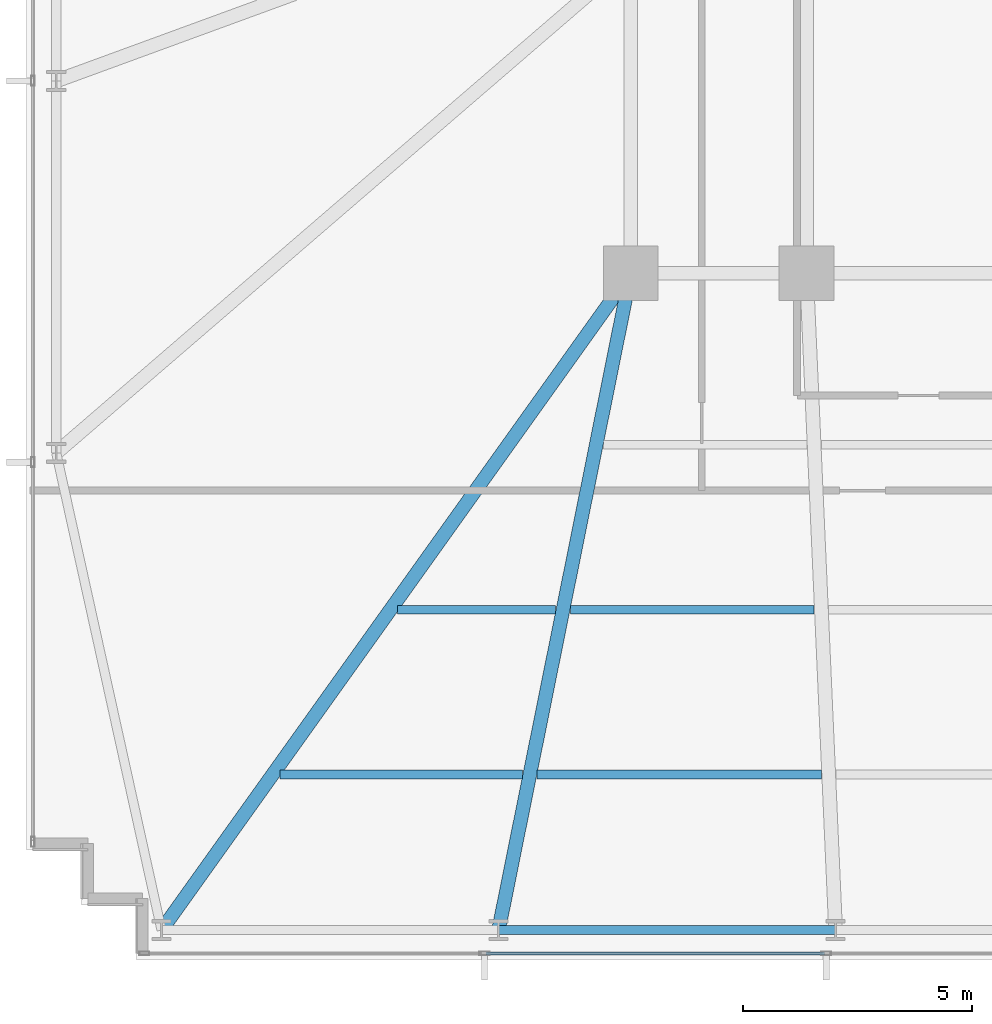
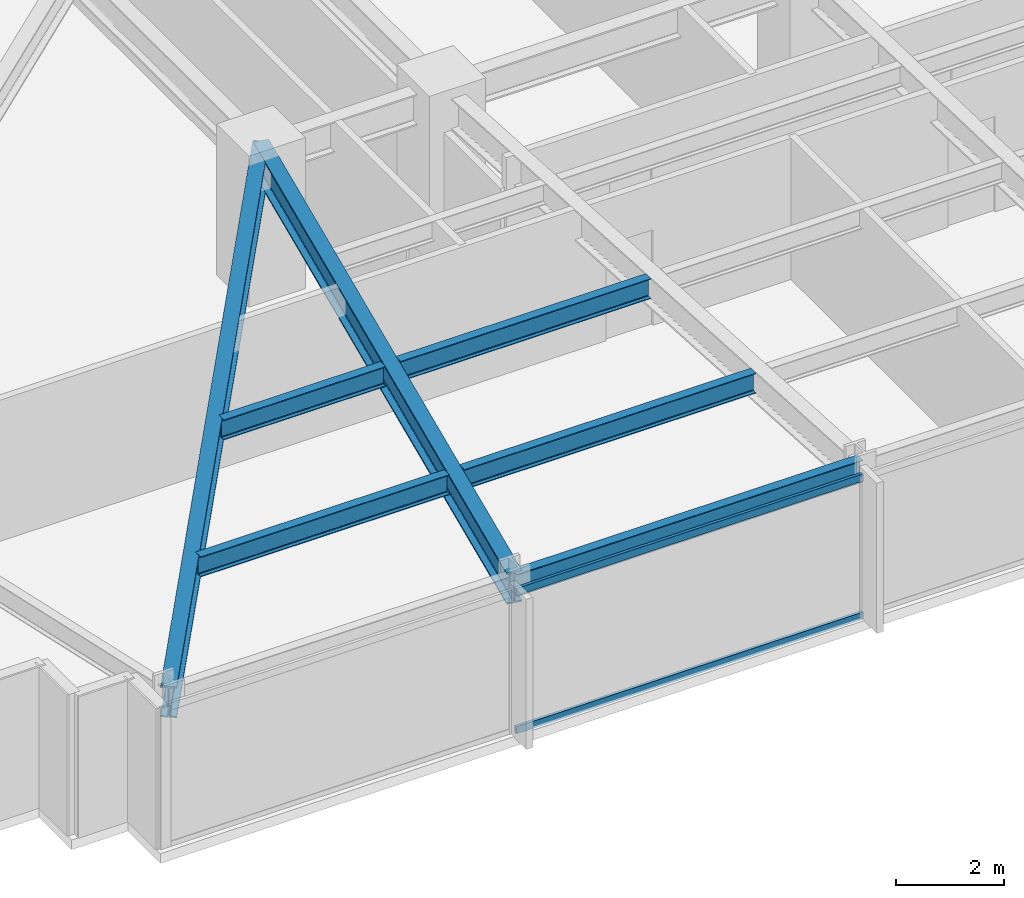
# One storey, part 3 of 33: 7 beams, 2 members, 1 element without a shape of its own.
"""IFC4 building model written with IfcOpenShell, lengths in metres."""

from ifc_helpers import new_model, si_unit, direction, frame, origin, origin_2d, place, context, subcontext, project, spatial, hollow_rectangle, i_section, extrude, material, material_profile, profile_set, type_object, element, aggregate, save


model = new_model("IFC4")

# Units and contexts
model_context = context("Model", 3, precision=1e-05, world=origin(), true_north=direction((0.0, 1.0)))
body_context = subcontext(model_context, "Body", "Model", "MODEL_VIEW")
ifc_project = project(units=[si_unit("LENGTHUNIT", "METRE"), si_unit("AREAUNIT", "SQUARE_METRE"), si_unit("VOLUMEUNIT", "CUBIC_METRE"), si_unit("PLANEANGLEUNIT", "RADIAN"), si_unit("MASSUNIT", "GRAM", prefix="KILO")], contexts=[model_context])

# Site, building, storey
site_placement = place(None, origin())
site = spatial("IfcSite", under=ifc_project, at=site_placement, CompositionType="ELEMENT")
building_placement = place(site_placement, origin())
building = spatial("IfcBuilding", under=site, at=building_placement, Name="Yelkora Congress Tower", CompositionType="ELEMENT")
storey_placement = place(building_placement, frame((0.0, 0.0, 71.199951171875)))
storey = spatial("IfcBuildingStorey", under=building, at=storey_placement, Name="L18", CompositionType="ELEMENT", Elevation=71.199951171875)

# Beams
ifc_material_1 = material(Name="Steel S355J2", Category="steel")
ifc_material_profile_1 = material_profile(ifc_material_1, i_section(OverallWidth=0.300048828125, OverallDepth=0.699951171875, WebThickness=0.01708984375, FlangeThickness=0.031982421875, FilletRadius=0.027099609375, at=origin_2d()), Name="HEB 700")
ifc_profile_set_1 = profile_set([ifc_material_profile_1], Name="Steel S355J2")
beam_type_1 = type_object("IfcBeamType", Name="BM-GIRD-HEB700", PredefinedType="BEAM", material=ifc_profile_set_1)
beam_1_placement = place(storey_placement, frame((8.949951171875, 10.85009765625, 2.830078125), z_axis=(0.581242122521, 0.813730664906, 0.0), x_axis=(-0.813730664906, 0.581242122521, 0.0)))
element("IfcBeam", 1, at=beam_1_placement, inside=storey, type_object=beam_type_1, Name="L18 Primary Frame Girder S01", PredefinedType="BEAM", context=body_context, shape_type="SweptSolid", body=[
    extrude(i_section(OverallWidth=0.300048828125, OverallDepth=0.699951171875, WebThickness=0.01708984375, FlangeThickness=0.031982421875, FilletRadius=0.027099609375, at=origin_2d()), origin(), (0.0, 0.0, 1.0), 17.634765625),
])
beam_2_placement = place(storey_placement, frame((16.3125, 10.85009765625, 2.830078125), z_axis=(0.197264295931, 0.980350344291, 0.0), x_axis=(-0.980350344291, 0.197264295931, 0.0)))
element("IfcBeam", 2, at=beam_2_placement, inside=storey, type_object=beam_type_1, Name="L18 Primary Frame Girder S02", PredefinedType="BEAM", context=body_context, shape_type="SweptSolid", body=[
    extrude(i_section(OverallWidth=0.300048828125, OverallDepth=0.699951171875, WebThickness=0.01708984375, FlangeThickness=0.031982421875, FilletRadius=0.027099609375, at=origin_2d()), origin(), (0.0, 0.0, 1.0), 14.637451171875),
])
ifc_material_profile_2 = material_profile(ifc_material_1, i_section(OverallWidth=0.18994140625, OverallDepth=0.449951171875, WebThickness=0.009521484375, FlangeThickness=0.0146484375, FilletRadius=0.02099609375, at=origin_2d()), Name="IPE 450")
ifc_profile_set_2 = profile_set([ifc_material_profile_2], Name="Steel S355J2")
beam_type_2 = type_object("IfcBeamType", Name="BM-JOIST-IPE450", PredefinedType="JOIST", material=ifc_profile_set_2)
beam_3_placement = place(storey_placement, frame((11.53857421875, 14.25, 2.955078125), z_axis=(1.0, 0.0, 0.0), x_axis=(0.0, 1.0, 0.0)))
element("IfcBeam", 3, at=beam_3_placement, inside=storey, type_object=beam_type_2, Name="L18 Composite Floor Joist 1", PredefinedType="JOIST", context=body_context, shape_type="SweptSolid", body=[
    extrude(i_section(OverallWidth=0.18994140625, OverallDepth=0.449951171875, WebThickness=0.009521484375, FlangeThickness=0.0146484375, FilletRadius=0.02099609375, at=origin_2d()), origin(), (0.0, 0.0, 1.0), 5.298095703125),
])
beam_4_placement = place(storey_placement, frame((17.156494140625, 14.25, 2.955078125), z_axis=(1.0, 0.0, 0.0), x_axis=(0.0, 1.0, 0.0)))
element("IfcBeam", 4, at=beam_4_placement, inside=storey, type_object=beam_type_2, Name="L18 Composite Floor Joist 2", PredefinedType="JOIST", context=body_context, shape_type="SweptSolid", body=[
    extrude(i_section(OverallWidth=0.18994140625, OverallDepth=0.449951171875, WebThickness=0.009521484375, FlangeThickness=0.0146484375, FilletRadius=0.02099609375, at=origin_2d()), origin(), (0.0, 0.0, 1.0), 6.2080078125),
])
beam_5_placement = place(storey_placement, frame((14.110107421875, 17.85009765625, 2.955078125), z_axis=(1.0, 0.0, 0.0), x_axis=(0.0, 1.0, 0.0)))
element("IfcBeam", 5, at=beam_5_placement, inside=storey, type_object=beam_type_2, Name="L18 Composite Floor Joist 9", PredefinedType="JOIST", context=body_context, shape_type="SweptSolid", body=[
    extrude(i_section(OverallWidth=0.18994140625, OverallDepth=0.449951171875, WebThickness=0.009521484375, FlangeThickness=0.0146484375, FilletRadius=0.02099609375, at=origin_2d()), origin(), (0.0, 0.0, 1.0), 3.450927734375),
])
beam_6_placement = place(storey_placement, frame((17.881103515625, 17.85009765625, 2.955078125), z_axis=(1.0, 0.0, 0.0), x_axis=(0.0, 1.0, 0.0)))
element("IfcBeam", 6, at=beam_6_placement, inside=storey, type_object=beam_type_2, Name="L18 Composite Floor Joist 10", PredefinedType="JOIST", context=body_context, shape_type="SweptSolid", body=[
    extrude(i_section(OverallWidth=0.18994140625, OverallDepth=0.449951171875, WebThickness=0.009521484375, FlangeThickness=0.0146484375, FilletRadius=0.02099609375, at=origin_2d()), origin(), (0.0, 0.0, 1.0), 5.323974609375),
])
ifc_material_profile_3 = material_profile(ifc_material_1, i_section(OverallWidth=0.199951171875, OverallDepth=0.5, WebThickness=0.01025390625, FlangeThickness=0.01611328125, FilletRadius=0.02099609375, at=origin_2d()), Name="IPE 500")
ifc_profile_set_3 = profile_set([ifc_material_profile_3], Name="Steel S355J2")
beam_type_3 = type_object("IfcBeamType", Name="BM-SPAN-IPE500", PredefinedType="SPANDREL", material=ifc_profile_set_3)
beam_7_placement = place(storey_placement, frame((16.3125, 10.85009765625, 2.929931640625), z_axis=(1.0, 0.0, 0.0), x_axis=(0.0, 1.0, 0.0)))
element("IfcBeam", 7, at=beam_7_placement, inside=storey, type_object=beam_type_3, Name="L18 Perimeter Beam 3", PredefinedType="SPANDREL", context=body_context, shape_type="SweptSolid", body=[
    extrude(i_section(OverallWidth=0.199951171875, OverallDepth=0.5, WebThickness=0.01025390625, FlangeThickness=0.01611328125, FilletRadius=0.02099609375, at=origin_2d()), origin(), (0.0, 0.0, 1.0), 7.362548828125),
])

# Curtain wall, members
ifc_material_2 = material(Name="Anodised aluminium and insulated glass", Category="aluminium")
curtain_wall_type = type_object("IfcCurtainWallType", Name="CW-SYS-B1", PredefinedType="NOTDEFINED", material=ifc_material_2)
curtain_wall_placement = place(storey_placement, origin())
curtain_wall = element("IfcCurtainWall", 8, at=curtain_wall_placement, inside=storey, type_object=curtain_wall_type, Name="L18 Unitised Curtain Wall 20", PredefinedType="NOTDEFINED")
ifc_material_3 = material(Name="Anodised aluminium 6063-T6", Category="aluminium")
ifc_material_profile_4 = material_profile(ifc_material_3, hollow_rectangle(XDim=0.06494140625, YDim=0.159912109375, WallThickness=0.00390625, at=origin_2d()), Name="ALU 65x160x4")
ifc_profile_set_4 = profile_set([ifc_material_profile_4], Name="Anodised aluminium 6063-T6")
member_type = type_object("IfcMemberType", Name="MEM-TR-B1", PredefinedType="USERDEFINED", material=ifc_profile_set_4)
member_1_placement = place(storey_placement, frame((23.4326171875, 10.340087890625, 0.032470703125), z_axis=(-1.0, 0.0, 0.0), x_axis=(0.0, -1.0, 0.0)))
member_1 = element("IfcMember", 9, at=member_1_placement, type_object=member_type, Name="CW-B1 transom 7.1", ObjectType="TRANSOM", PredefinedType="USERDEFINED", context=body_context, shape_type="SweptSolid", body=[
    extrude(hollow_rectangle(XDim=0.06494140625, YDim=0.159912109375, WallThickness=0.00390625, at=origin_2d()), origin(), (0.0, 0.0, 1.0), 7.39013671875),
])
member_2_placement = place(storey_placement, frame((23.4326171875, 10.340087890625, 3.1474609375), z_axis=(-1.0, 0.0, 0.0), x_axis=(0.0, -1.0, 0.0)))
member_2 = element("IfcMember", 10, at=member_2_placement, type_object=member_type, Name="CW-B1 transom 7.2", ObjectType="TRANSOM", PredefinedType="USERDEFINED", context=body_context, shape_type="SweptSolid", body=[
    extrude(hollow_rectangle(XDim=0.06494140625, YDim=0.159912109375, WallThickness=0.00390625, at=origin_2d()), origin(), (0.0, 0.0, 1.0), 7.39013671875),
])
aggregate(curtain_wall, [member_1, member_2])

save(model, "model.ifc")
